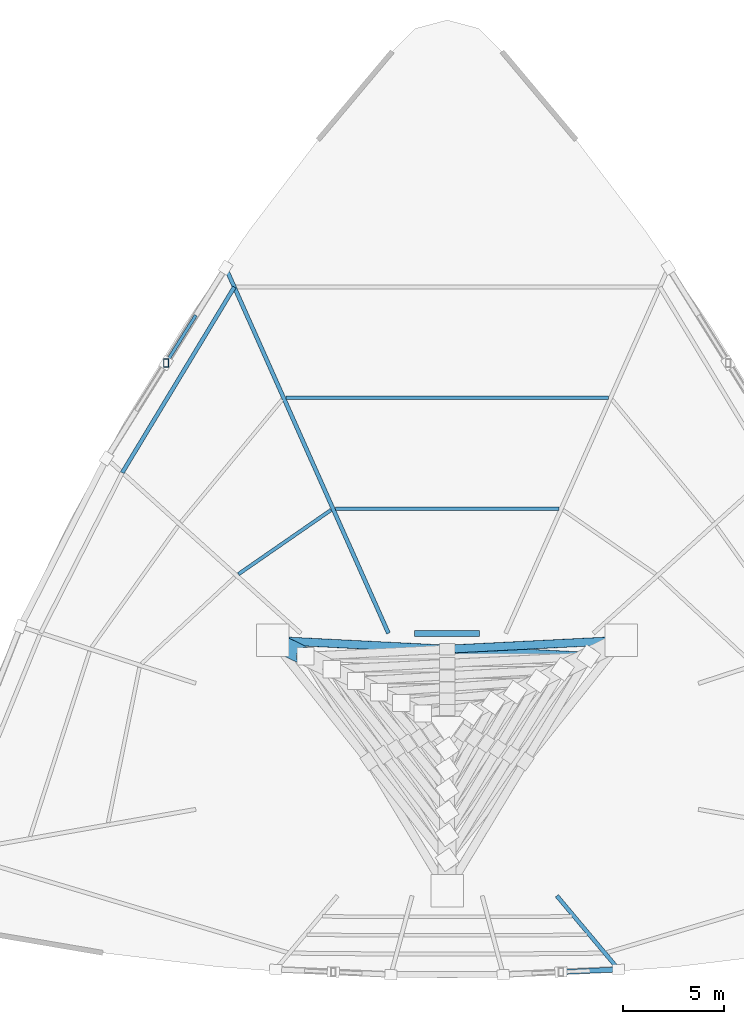
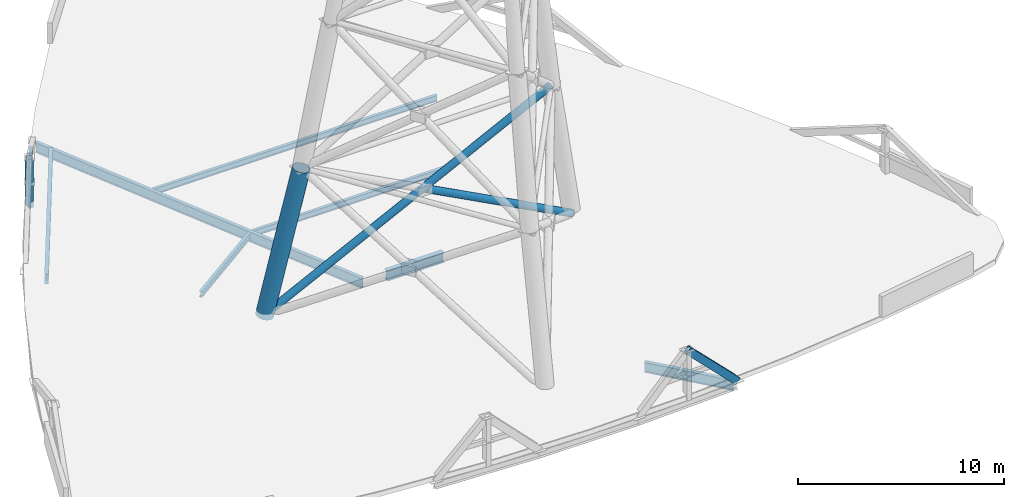
# One storey, part 4 of 7: 7 beams, 6 members.
"""IFC4 building model written with IfcOpenShell, lengths in metres."""

from ifc_helpers import new_model, si_unit, direction, frame, origin, origin_2d, place, context, subcontext, project, spatial, hollow_rectangle, hollow_circle, i_section, extrude, source, transform, mapped, material, material_profile, profile_set, type_object, element, save


model = new_model("IFC4")

# Units and contexts
model_context = context("Model", 3, precision=1e-05, world=origin(), true_north=direction((0.0, 1.0)))
body_context = subcontext(model_context, "Body", "Model", "MODEL_VIEW")
ifc_project = project(units=[si_unit("LENGTHUNIT", "METRE"), si_unit("AREAUNIT", "SQUARE_METRE"), si_unit("VOLUMEUNIT", "CUBIC_METRE"), si_unit("PLANEANGLEUNIT", "RADIAN"), si_unit("MASSUNIT", "GRAM", prefix="KILO"), si_unit("THERMODYNAMICTEMPERATUREUNIT", "KELVIN"), si_unit("POWERUNIT", "WATT")], contexts=[model_context])

# Site, building, storey
site_placement = place(None, origin())
site = spatial("IfcSite", under=ifc_project, at=site_placement, CompositionType="ELEMENT")
building_placement = place(site_placement, origin())
building = spatial("IfcBuilding", under=site, at=building_placement, Name="Yunzhuo Pagoda Commons", CompositionType="ELEMENT")
storey_placement = place(building_placement, frame((0.0, 0.0, 401.760009765625)))
storey = spatial("IfcBuildingStorey", under=building, at=storey_placement, Name="Roof", CompositionType="ELEMENT", Elevation=401.760009765625)

# Beams
ifc_material_1 = material(Name="Structural steel Q420B", Category="steel")
ifc_material_profile_1 = material_profile(ifc_material_1, i_section(OverallWidth=0.300048828125, OverallDepth=0.587890625, WebThickness=0.011962890625, FlangeThickness=0.02001953125, at=origin_2d()), Name="Structural steel Q420B")
ifc_profile_set_1 = profile_set([ifc_material_profile_1], Name="Structural steel Q420B")
beam_type_1 = type_object("IfcBeamType", Name="B-CPL Beam HM 588x300x12x20", PredefinedType="BEAM", material=ifc_profile_set_1)
shared_shape_1 = source(origin(), body_context, "Body", "SweptSolid", [
    extrude(i_section(OverallWidth=0.300048828125, OverallDepth=0.587890625, WebThickness=0.011962890625, FlangeThickness=0.02001953125, at=origin_2d()), origin(), (0.0, 0.0, 1.0), 3.2001953125),
])
beam_1_placement = place(storey_placement, frame((46.39990234375, 40.199951171875, -0.573974609375), z_axis=(1.0, 0.0, 0.0), x_axis=(0.0, 1.0, 0.0)))
element("IfcBeam", 1, at=beam_1_placement, inside=storey, type_object=beam_type_1, Name="Roof core coupling girder", PredefinedType="BEAM", context=body_context, shape_type="MappedRepresentation", body=[
    mapped(shared_shape_1, transform((0.0, 0.0, 0.0), scale=1.0)),
])
ifc_material_2 = material(Name="Structural steel Q355B", Category="steel")
ifc_material_profile_2 = material_profile(ifc_material_2, i_section(OverallWidth=0.199951171875, OverallDepth=0.60009765625, WebThickness=0.010986328125, FlangeThickness=0.01708984375, at=origin_2d()), Name="Structural steel Q355B")
ifc_profile_set_2 = profile_set([ifc_material_profile_2], Name="Structural steel Q355B")
beam_type_2 = type_object("IfcBeamType", Name="B-RG3 Beam HN 600x200x11x17", PredefinedType="BEAM", material=ifc_profile_set_2)
shared_shape_2 = source(origin(), body_context, "Body", "SweptSolid", [
    extrude(i_section(OverallWidth=0.199951171875, OverallDepth=0.60009765625, WebThickness=0.010986328125, FlangeThickness=0.01708984375, at=origin_2d()), origin(), (0.0, 0.0, 1.0), 10.691162109375),
])
beam_2_placement = place(storey_placement, frame((37.501220703125, 57.281005859375, -0.580078125), z_axis=(-0.516864678433, -0.856067114301, 0.0), x_axis=(0.856067114301, -0.516864678433, 0.0)))
element("IfcBeam", 2, at=beam_2_placement, inside=storey, type_object=beam_type_2, Name="Roof column-ring beam 9", PredefinedType="BEAM", context=body_context, shape_type="MappedRepresentation", body=[
    mapped(shared_shape_2, transform((0.0, 0.0, 0.0), scale=1.0)),
])
ifc_material_profile_3 = material_profile(ifc_material_2, i_section(OverallWidth=0.175048828125, OverallDepth=0.35009765625, WebThickness=0.007080078125, FlangeThickness=0.010986328125, at=origin_2d()), Name="Structural steel Q355B")
ifc_profile_set_3 = profile_set([ifc_material_profile_3], Name="Structural steel Q355B")
beam_type_3 = type_object("IfcBeamType", Name="B-JS2 Joist HN 350x175x7x11", PredefinedType="JOIST", material=ifc_profile_set_3)
shared_shape_3 = source(origin(), body_context, "Body", "SweptSolid", [
    extrude(i_section(OverallWidth=0.175048828125, OverallDepth=0.35009765625, WebThickness=0.007080078125, FlangeThickness=0.010986328125, at=origin_2d()), origin(), (0.0, 0.0, 1.0), 5.556640625),
])
beam_3_placement = place(storey_placement, frame((42.273681640625, 46.28369140625, -0.455078125), z_axis=(-0.822084621883, -0.569365326011, 0.0), x_axis=(0.569365326011, -0.822084621883, 0.0)))
element("IfcBeam", 3, at=beam_3_placement, inside=storey, type_object=beam_type_3, Name="Roof composite ring joist 1.9", PredefinedType="JOIST", context=body_context, shape_type="MappedRepresentation", body=[
    mapped(shared_shape_3, transform((0.0, 0.0, 0.0), scale=1.0)),
])
shared_shape_4 = source(origin(), body_context, "Body", "SweptSolid", [
    extrude(i_section(OverallWidth=0.175048828125, OverallDepth=0.35009765625, WebThickness=0.007080078125, FlangeThickness=0.010986328125, at=origin_2d()), origin(), (0.0, 0.0, 1.0), 11.03369140625),
])
beam_4_placement = place(storey_placement, frame((53.516845703125, 46.34912109375, -0.455078125), z_axis=(-1.0, 0.0, 0.0), x_axis=(0.0, -1.0, 0.0)))
element("IfcBeam", 4, at=beam_4_placement, inside=storey, type_object=beam_type_3, Name="Roof composite ring joist 1.8", PredefinedType="JOIST", context=body_context, shape_type="MappedRepresentation", body=[
    mapped(shared_shape_4, transform((0.0, 0.0, 0.0), scale=1.0)),
])
shared_shape_5 = source(origin(), body_context, "Body", "SweptSolid", [
    extrude(i_section(OverallWidth=0.175048828125, OverallDepth=0.35009765625, WebThickness=0.007080078125, FlangeThickness=0.010986328125, at=origin_2d()), origin(), (0.0, 0.0, 1.0), 15.900390625),
])
beam_5_placement = place(storey_placement, frame((55.9501953125, 51.81494140625, -0.455078125), z_axis=(-1.0, 0.0, 0.0), x_axis=(0.0, -1.0, 0.0)))
element("IfcBeam", 5, at=beam_5_placement, inside=storey, type_object=beam_type_3, Name="Roof composite ring joist 2.8", PredefinedType="JOIST", context=body_context, shape_type="MappedRepresentation", body=[
    mapped(shared_shape_5, transform((0.0, 0.0, 0.0), scale=1.0)),
])
shared_shape_6 = source(origin(), body_context, "Body", "SweptSolid", [
    extrude(i_section(OverallWidth=0.199951171875, OverallDepth=0.60009765625, WebThickness=0.010986328125, FlangeThickness=0.01708984375, at=origin_2d()), origin(), (0.0, 0.0, 1.0), 4.587158203125),
])
beam_6_placement = place(storey_placement, frame((56.360595703125, 23.736083984375, -0.580078125), z_axis=(-0.642782581433, 0.766048662297, 0.0), x_axis=(-0.766048662297, -0.642782581433, 0.0)))
element("IfcBeam", 6, at=beam_6_placement, inside=storey, type_object=beam_type_2, Name="Roof radial floor girder F1C4", PredefinedType="BEAM", context=body_context, shape_type="MappedRepresentation", body=[
    mapped(shared_shape_6, transform((0.0, 0.0, 0.0), scale=1.0)),
])
shared_shape_7 = source(origin(), body_context, "Body", "SweptSolid", [
    extrude(i_section(OverallWidth=0.199951171875, OverallDepth=0.60009765625, WebThickness=0.010986328125, FlangeThickness=0.01708984375, at=origin_2d()), origin(), (0.0, 0.0, 1.0), 19.59228515625),
])
beam_7_placement = place(storey_placement, frame((37.13720703125, 58.098388671875, -0.580078125), z_axis=(0.406730347382, -0.91354826064, 0.0), x_axis=(0.91354826064, 0.406730347382, 0.0)))
element("IfcBeam", 7, at=beam_7_placement, inside=storey, type_object=beam_type_2, Name="Roof radial floor girder F3C1", PredefinedType="BEAM", context=body_context, shape_type="MappedRepresentation", body=[
    mapped(shared_shape_7, transform((0.0, 0.0, 0.0), scale=1.0)),
])

# Members
ifc_material_profile_4 = material_profile(ifc_material_2, hollow_rectangle(XDim=0.25, YDim=0.39990234375, WallThickness=0.01611328125, at=origin_2d()), Name="Structural steel Q355B")
ifc_profile_set_4 = profile_set([ifc_material_profile_4], Name="Structural steel Q355B")
member_type_1 = type_object("IfcMemberType", Name="M-RFT Rafter RHS 400x250x16", PredefinedType="RAFTER", material=ifc_profile_set_4)
shared_shape_8 = source(origin(), body_context, "Body", "SweptSolid", [
    extrude(hollow_rectangle(XDim=0.25, YDim=0.39990234375, WallThickness=0.01611328125, at=origin_2d()), origin(), (0.0, 0.0, 1.0), 2.8798828125),
])
member_1_placement = place(storey_placement, frame((34.134765625, 53.535888671875, -0.27978515625), z_axis=(0.0, 0.0, 1.0), x_axis=(1.0, 0.0, 0.0)))
element("IfcMember", 8, at=member_1_placement, inside=storey, type_object=member_type_1, Name="Crown gable king-post F3.1", PredefinedType="RAFTER", context=body_context, shape_type="MappedRepresentation", body=[
    mapped(shared_shape_8, transform((0.0, 0.0, 0.0), scale=1.0)),
])
shared_shape_9 = source(origin(), body_context, "Body", "SweptSolid", [
    extrude(hollow_rectangle(XDim=0.25, YDim=0.39990234375, WallThickness=0.01611328125, at=origin_2d()), origin(), (0.0, 0.0, 1.0), 4.050048828125),
])
member_2_placement = place(storey_placement, frame((56.46044921875, 23.617431640625, -0.27978515625), z_axis=(-0.702390906033, -0.032009060342, 0.711071329177), x_axis=(0.045524328467, -0.998963230313, 0.0)))
element("IfcMember", 9, at=member_2_placement, inside=storey, type_object=member_type_1, Name="Crown gable rafter F1.2R", PredefinedType="RAFTER", context=body_context, shape_type="MappedRepresentation", body=[
    mapped(shared_shape_9, transform((0.0, 0.0, 0.0), scale=1.0)),
])
ifc_material_profile_5 = material_profile(ifc_material_2, hollow_rectangle(XDim=0.159912109375, YDim=0.260009765625, WallThickness=0.010009765625, at=origin_2d()), Name="Structural steel Q355B")
ifc_profile_set_5 = profile_set([ifc_material_profile_5], Name="Structural steel Q355B")
member_type_2 = type_object("IfcMemberType", Name="M-PRL Purlin RHS 260x160x10", PredefinedType="PURLIN", material=ifc_profile_set_5)
shared_shape_10 = source(origin(), body_context, "Body", "SweptSolid", [
    extrude(hollow_rectangle(XDim=0.159912109375, YDim=0.260009765625, WallThickness=0.010009765625, at=origin_2d()), origin(), (0.0, 0.0, 1.0), 2.638671875),
])
member_3_placement = place(storey_placement, frame((35.604248046875, 55.88818359375, 1.159912109375), z_axis=(-0.529882500848, -0.848071067361, 0.0), x_axis=(0.848071067361, -0.529882500848, 0.0)))
element("IfcMember", 10, at=member_3_placement, inside=storey, type_object=member_type_2, Name="Crown gable purlin F3.1L", PredefinedType="PURLIN", context=body_context, shape_type="MappedRepresentation", body=[
    mapped(shared_shape_10, transform((0.0, 0.0, 0.0), scale=1.0)),
])
ifc_material_profile_6 = material_profile(ifc_material_1, hollow_circle(Radius=0.449951171875, WallThickness=0.031982421875, at=origin_2d()), Name="Structural steel Q420B")
ifc_profile_set_6 = profile_set([ifc_material_profile_6], Name="Structural steel Q420B")
member_type_3 = type_object("IfcMemberType", Name="M-ML1 Mast Strut CHS 900x32", PredefinedType="STRUT", material=ifc_profile_set_6)
shared_shape_11 = source(origin(), body_context, "Body", "SweptSolid", [
    extrude(hollow_circle(Radius=0.449951171875, WallThickness=0.031982421875, at=origin_2d()), origin(), (0.0, 0.0, 1.0), 8.806396484375),
])
member_4_placement = place(storey_placement, frame((39.39990234375, 39.85009765625, -0.27978515625), z_axis=(0.183138255912, -0.089434455582, 0.97901065233), x_axis=(0.438814865025, 0.89857749484, 0.0)))
element("IfcMember", 11, at=member_4_placement, inside=storey, type_object=member_type_3, Name="Broadcast mast leg T1.1", PredefinedType="STRUT", context=body_context, shape_type="MappedRepresentation", body=[
    mapped(shared_shape_11, transform((0.0, 0.0, 0.0), scale=1.0)),
])
ifc_material_profile_7 = material_profile(ifc_material_1, hollow_circle(Radius=0.202880859375, WallThickness=0.01611328125, at=origin_2d()), Name="Structural steel Q420B")
ifc_profile_set_7 = profile_set([ifc_material_profile_7], Name="Structural steel Q420B")
member_type_4 = type_object("IfcMemberType", Name="M-MB1 Mast Brace CHS 406x16", PredefinedType="BRACE", material=ifc_profile_set_7)
shared_shape_12 = source(origin(), body_context, "Body", "SweptSolid", [
    extrude(hollow_circle(Radius=0.202880859375, WallThickness=0.01611328125, at=origin_2d()), origin(), (0.0, 0.0, 1.0), 17.830322265625),
])
member_5_placement = place(storey_placement, frame((39.39990234375, 39.85009765625, -0.27978515625), z_axis=(0.874209328403, -0.0441719026, 0.483535824065), x_axis=(0.050463455499, 0.998725908175, 0.0)))
element("IfcMember", 12, at=member_5_placement, inside=storey, type_object=member_type_4, Name="Broadcast mast diagonal brace T1.1A", PredefinedType="BRACE", context=body_context, shape_type="MappedRepresentation", body=[
    mapped(shared_shape_12, transform((0.0, 0.0, 0.0), scale=1.0)),
])
shared_shape_13 = source(origin(), body_context, "Body", "SweptSolid", [
    extrude(hollow_circle(Radius=0.202880859375, WallThickness=0.01611328125, at=origin_2d()), origin(), (0.0, 0.0, 1.0), 9.62255859375),
])
member_6_placement = place(storey_placement, frame((56.60009765625, 39.85009765625, -0.27978515625), z_axis=(-0.874209671115, -0.044172249751, 0.483535172745), x_axis=(0.050463831352, -0.998725889183, 0.0)))
element("IfcMember", 13, at=member_6_placement, inside=storey, type_object=member_type_4, Name="Broadcast mast lower split brace T1.1B1", PredefinedType="BRACE", context=body_context, shape_type="MappedRepresentation", body=[
    mapped(shared_shape_13, transform((0.0, 0.0, 0.0), scale=1.0)),
])

save(model, "model.ifc")
